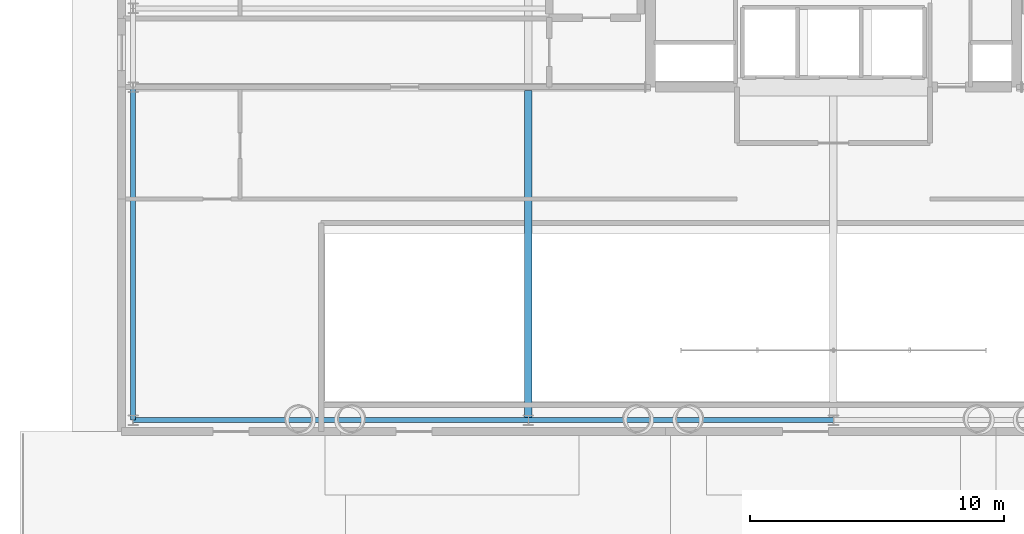
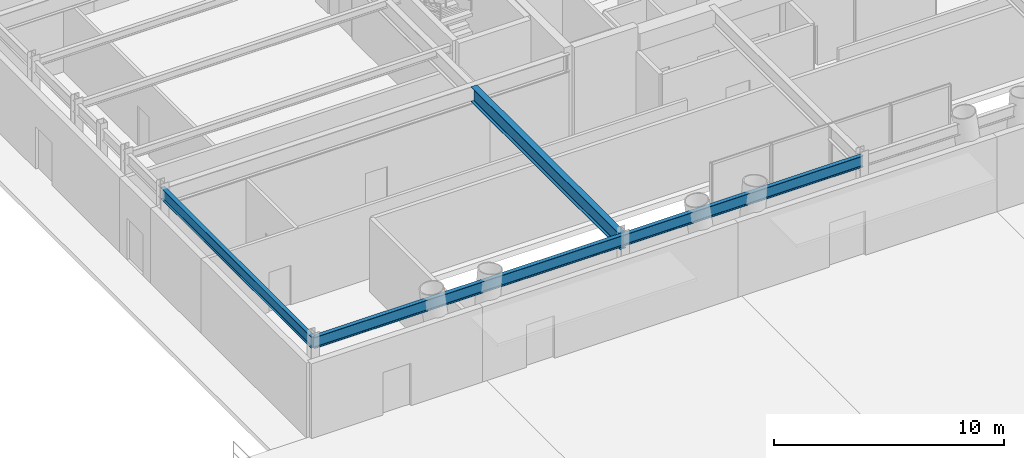
# One storey, part 5 of 19: 4 beams.
"""IFC4 building model written with IfcOpenShell, lengths in metres."""

from ifc_helpers import new_model, si_unit, direction, frame, origin, origin_2d, place, context, subcontext, project, spatial, i_section, extrude, material, material_profile, profile_set, type_object, element, save


model = new_model("IFC4")

# Units and contexts
model_context = context("Model", 3, precision=1e-05, world=origin(), true_north=direction((0.0, 1.0)))
body_context = subcontext(model_context, "Body", "Model", "MODEL_VIEW")
ifc_project = project(units=[si_unit("LENGTHUNIT", "METRE"), si_unit("AREAUNIT", "SQUARE_METRE"), si_unit("VOLUMEUNIT", "CUBIC_METRE"), si_unit("PLANEANGLEUNIT", "RADIAN"), si_unit("MASSUNIT", "GRAM", prefix="KILO")], contexts=[model_context])

# Site, building, storey
site_placement = place(None, origin())
site = spatial("IfcSite", under=ifc_project, at=site_placement, CompositionType="ELEMENT")
building_placement = place(site_placement, origin())
building = spatial("IfcBuilding", under=site, at=building_placement, Name="Veldorina Hangang Commons", CompositionType="ELEMENT")
storey_placement = place(building_placement, origin())
storey = spatial("IfcBuildingStorey", under=building, at=storey_placement, Name="L00", CompositionType="ELEMENT", Elevation=0.0)

# Beams
ifc_material_1 = material(Name="Steel SM460-TMC", Category="steel")
ifc_material_profile_1 = material_profile(ifc_material_1, i_section(OverallWidth=0.300048828125, OverallDepth=0.800048828125, WebThickness=0.013916015625, FlangeThickness=0.02587890625, FilletRadius=0.02197265625, at=origin_2d()), Name="H-800x300x14x26")
ifc_profile_set_1 = profile_set([ifc_material_profile_1], Name="Steel SM460-TMC")
beam_type_1 = type_object("IfcBeamType", Name="BM-PG800", PredefinedType="BEAM", material=ifc_profile_set_1)
beam_1_placement = place(storey_placement, frame((20.0, 3.449951171875, 4.5), z_axis=(0.0, 1.0, 0.0), x_axis=(-1.0, 0.0, 0.0)))
element("IfcBeam", 1, at=beam_1_placement, inside=storey, type_object=beam_type_1, Name="L00 south primary girder G3", PredefinedType="BEAM", context=body_context, shape_type="SweptSolid", body=[
    extrude(i_section(OverallWidth=0.300048828125, OverallDepth=0.800048828125, WebThickness=0.013916015625, FlangeThickness=0.02587890625, FilletRadius=0.02197265625, at=origin_2d()), origin(), (0.0, 0.0, 1.0), 12.9599609375),
])
ifc_material_2 = material(Name="Steel SM420-TMC", Category="steel")
ifc_material_profile_2 = material_profile(ifc_material_2, i_section(OverallWidth=0.199951171875, OverallDepth=0.60009765625, WebThickness=0.010986328125, FlangeThickness=0.01708984375, FilletRadius=0.01806640625, at=origin_2d()), Name="H-600x200x11x17")
ifc_profile_set_2 = profile_set([ifc_material_profile_2], Name="Steel SM420-TMC")
beam_type_2 = type_object("IfcBeamType", Name="BM-SPN600", PredefinedType="SPANDREL", material=ifc_profile_set_2)
beam_2_placement = place(storey_placement, frame((4.449951171875, 3.449951171875, 4.60009765625), z_axis=(1.0, 0.0, 0.0), x_axis=(0.0, 1.0, 0.0)))
element("IfcBeam", 2, at=beam_2_placement, inside=storey, type_object=beam_type_2, Name="L00 south spandrel beam 1", PredefinedType="SPANDREL", context=body_context, shape_type="SweptSolid", body=[
    extrude(i_section(OverallWidth=0.199951171875, OverallDepth=0.60009765625, WebThickness=0.010986328125, FlangeThickness=0.01708984375, FilletRadius=0.01806640625, at=origin_2d()), origin(), (0.0, 0.0, 1.0), 15.550048828125),
])
beam_3_placement = place(storey_placement, frame((20.0, 3.449951171875, 4.60009765625), z_axis=(1.0, 0.0, 0.0), x_axis=(0.0, 1.0, 0.0)))
element("IfcBeam", 3, at=beam_3_placement, inside=storey, type_object=beam_type_2, Name="L00 south spandrel beam 2", PredefinedType="SPANDREL", context=body_context, shape_type="SweptSolid", body=[
    extrude(i_section(OverallWidth=0.199951171875, OverallDepth=0.60009765625, WebThickness=0.010986328125, FlangeThickness=0.01708984375, FilletRadius=0.01806640625, at=origin_2d()), origin(), (0.0, 0.0, 1.0), 12.0),
])
beam_4_placement = place(storey_placement, frame((4.449951171875, 3.449951171875, 4.60009765625), z_axis=(0.0, 1.0, 0.0), x_axis=(-1.0, 0.0, 0.0)))
element("IfcBeam", 4, at=beam_4_placement, inside=storey, type_object=beam_type_2, Name="L00 west spandrel beam 1", PredefinedType="SPANDREL", context=body_context, shape_type="SweptSolid", body=[
    extrude(i_section(OverallWidth=0.199951171875, OverallDepth=0.60009765625, WebThickness=0.010986328125, FlangeThickness=0.01708984375, FilletRadius=0.01806640625, at=origin_2d()), origin(), (0.0, 0.0, 1.0), 13.10009765625),
])

save(model, "model.ifc")
